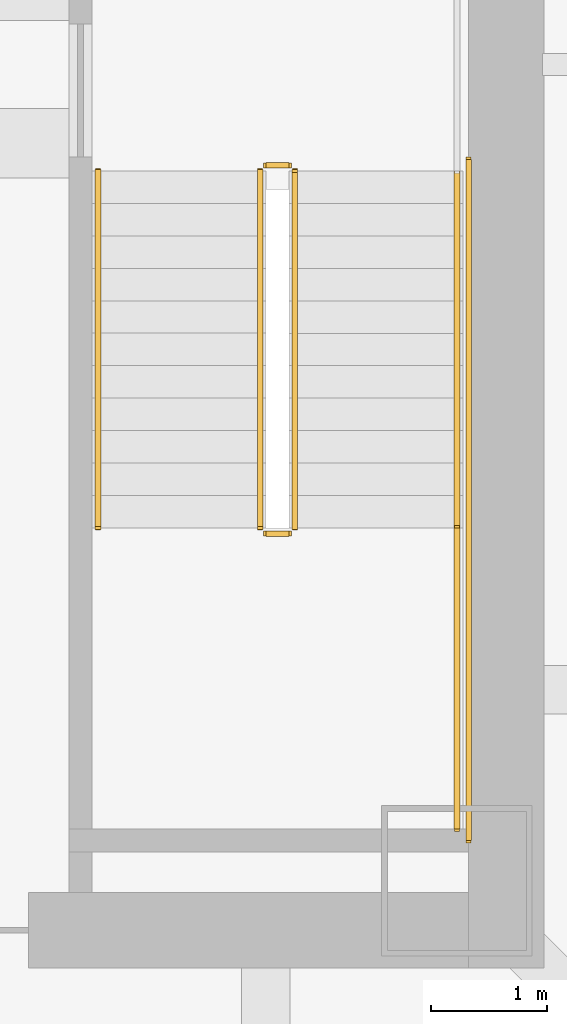
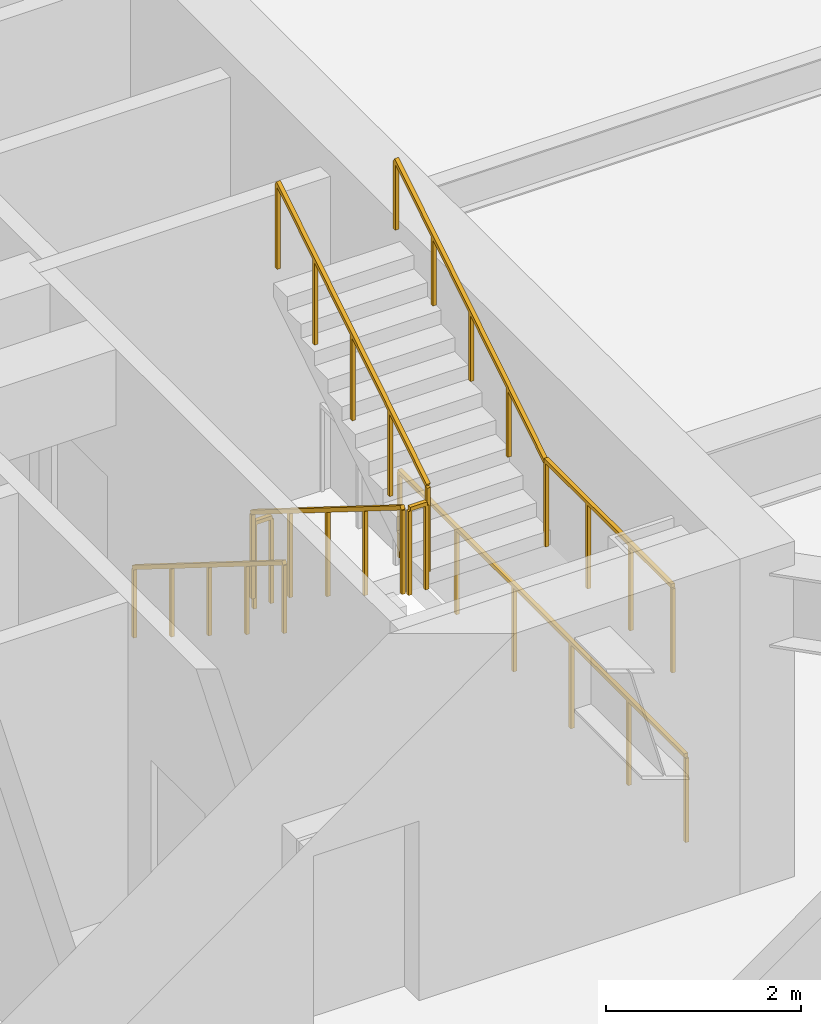
# One storey, part 13 of 20: 8 railings.
"""IFC4 building model written with IfcOpenShell, lengths in metres."""

from ifc_helpers import new_model, si_unit, direction, frame, origin, origin_2d, place, context, subcontext, project, spatial, rectangle, extrude, material, type_object, element, save


model = new_model("IFC4")

# Units and contexts
model_context = context("Model", 3, precision=1e-05, world=origin(), true_north=direction((0.0, 1.0)))
body_context = subcontext(model_context, "Body", "Model", "MODEL_VIEW")
ifc_project = project(units=[si_unit("LENGTHUNIT", "METRE"), si_unit("AREAUNIT", "SQUARE_METRE"), si_unit("VOLUMEUNIT", "CUBIC_METRE"), si_unit("PLANEANGLEUNIT", "RADIAN"), si_unit("MASSUNIT", "GRAM", prefix="KILO")], contexts=[model_context])

# Site, building, storey
site_placement = place(None, origin())
site = spatial("IfcSite", under=ifc_project, at=site_placement, CompositionType="ELEMENT")
building_placement = place(site_placement, origin())
building = spatial("IfcBuilding", under=site, at=building_placement, Name="Tashvorn Skyway Center", CompositionType="ELEMENT")
storey_placement = place(building_placement, frame((0.0, 0.0, 15.60009765625)))
storey = spatial("IfcBuildingStorey", under=building, at=storey_placement, Name="L03", CompositionType="ELEMENT", Elevation=15.60009765625)

# Railings
ifc_material_1 = material(Name="Brushed stainless steel 316", Category="steel")
railing_type_1 = type_object("IfcRailingType", Name="RAIL-HAND-920", PredefinedType="HANDRAIL", material=ifc_material_1)
railing_1_placement = place(storey_placement, frame((45.949951171875, 31.080078125, 0.1748046875)))
element("IfcRailing", 1, at=railing_1_placement, inside=storey, type_object=railing_type_1, Name="L03 ST-T1-2 stair handrail 1", PredefinedType="HANDRAIL", context=body_context, shape_type="SweptSolid", body=[
    extrude(rectangle(XDim=0.048095703125, YDim=0.048095703125, at=origin_2d()), frame((0.0, 0.0, 0.8759765625), z_axis=(0.0, -0.847998304005, 0.529998940003), x_axis=(1.0, 0.0, 0.0)), (0.0, 0.0, 1.0), 3.632080078125),
    extrude(rectangle(XDim=0.0419921875, YDim=0.0419921875, at=origin_2d()), origin(), (0.0, 0.0, 1.0), 0.851806640625),
    extrude(rectangle(XDim=0.0419921875, YDim=0.0419921875, at=origin_2d()), frame((0.0, -0.77001953125, 0.481201171875)), (0.0, 0.0, 1.0), 0.851806640625),
    extrude(rectangle(XDim=0.0419921875, YDim=0.0419921875, at=origin_2d()), frame((0.0, -1.5400390625, 0.96240234375)), (0.0, 0.0, 1.0), 0.851806640625),
    extrude(rectangle(XDim=0.0419921875, YDim=0.0419921875, at=origin_2d()), frame((0.0, -2.31005859375, 1.44384765625)), (0.0, 0.0, 1.0), 0.851806640625),
    extrude(rectangle(XDim=0.0419921875, YDim=0.0419921875, at=origin_2d()), frame((0.0, -3.080078125, 1.925048828125)), (0.0, 0.0, 1.0), 0.851806640625),
])
railing_2_placement = place(storey_placement, frame((49.050048828125, 28.0, 2.27490234375)))
element("IfcRailing", 2, at=railing_2_placement, inside=storey, type_object=railing_type_1, Name="L03 ST-T1-2 stair handrail 2", PredefinedType="HANDRAIL", context=body_context, shape_type="SweptSolid", body=[
    extrude(rectangle(XDim=0.048095703125, YDim=0.048095703125, at=origin_2d()), frame((0.0, 0.0, 0.8759765625), z_axis=(0.0, 0.847998304005, 0.529998940003), x_axis=(-1.0, 0.0, 0.0)), (0.0, 0.0, 1.0), 3.632080078125),
    extrude(rectangle(XDim=0.0419921875, YDim=0.0419921875, at=origin_2d()), origin(), (0.0, 0.0, 1.0), 0.851806640625),
    extrude(rectangle(XDim=0.0419921875, YDim=0.0419921875, at=origin_2d()), frame((0.0, 0.77001953125, 0.481201171875)), (0.0, 0.0, 1.0), 0.851806640625),
    extrude(rectangle(XDim=0.0419921875, YDim=0.0419921875, at=origin_2d()), frame((0.0, 1.5400390625, 0.96240234375)), (0.0, 0.0, 1.0), 0.851806640625),
    extrude(rectangle(XDim=0.0419921875, YDim=0.0419921875, at=origin_2d()), frame((0.0, 2.31005859375, 1.44384765625)), (0.0, 0.0, 1.0), 0.851806640625),
    extrude(rectangle(XDim=0.0419921875, YDim=0.0419921875, at=origin_2d()), frame((0.0, 3.080078125, 1.925048828125)), (0.0, 0.0, 1.0), 0.851806640625),
])
ifc_material_2 = material(Name="Painted galvanized steel S355", Category="steel")
railing_type_2 = type_object("IfcRailingType", Name="RAIL-STGUARD-1100", PredefinedType="GUARDRAIL", material=ifc_material_2)
railing_3_placement = place(storey_placement, frame((47.35009765625, 31.080078125, 0.1748046875)))
element("IfcRailing", 3, at=railing_3_placement, inside=storey, type_object=railing_type_2, Name="L03 ST-T1-2 stair guard 1", PredefinedType="GUARDRAIL", context=body_context, shape_type="SweptSolid", body=[
    extrude(rectangle(XDim=0.048095703125, YDim=0.048095703125, at=origin_2d()), frame((0.0, 0.0, 1.076171875), z_axis=(0.0, -0.847998304005, 0.529998940003), x_axis=(1.0, 0.0, 0.0)), (0.0, 0.0, 1.0), 3.632080078125),
    extrude(rectangle(XDim=0.0419921875, YDim=0.0419921875, at=origin_2d()), origin(), (0.0, 0.0, 1.0), 1.052001953125),
    extrude(rectangle(XDim=0.0419921875, YDim=0.0419921875, at=origin_2d()), frame((0.0, -0.77001953125, 0.481201171875)), (0.0, 0.0, 1.0), 1.052001953125),
    extrude(rectangle(XDim=0.0419921875, YDim=0.0419921875, at=origin_2d()), frame((0.0, -1.5400390625, 0.96240234375)), (0.0, 0.0, 1.0), 1.052001953125),
    extrude(rectangle(XDim=0.0419921875, YDim=0.0419921875, at=origin_2d()), frame((0.0, -2.31005859375, 1.44384765625)), (0.0, 0.0, 1.0), 1.052001953125),
    extrude(rectangle(XDim=0.0419921875, YDim=0.0419921875, at=origin_2d()), frame((0.0, -3.080078125, 1.925048828125)), (0.0, 0.0, 1.0), 1.052001953125),
])
railing_4_placement = place(storey_placement, frame((47.39990234375, 27.949951171875, 2.099853515625)))
element("IfcRailing", 4, at=railing_4_placement, inside=storey, type_object=railing_type_2, Name="L03 ST-T1-2 stair guard 2", PredefinedType="GUARDRAIL", context=body_context, shape_type="SweptSolid", body=[
    extrude(rectangle(XDim=0.048095703125, YDim=0.048095703125, at=origin_2d()), frame((0.0, 0.0, 1.076171875), z_axis=(1.0, 0.0, 0.0), x_axis=(0.0, 1.0, 0.0)), (0.0, 0.0, 1.0), 0.2001953125),
    extrude(rectangle(XDim=0.0419921875, YDim=0.0419921875, at=origin_2d()), origin(), (0.0, 0.0, 1.0), 1.052001953125),
    extrude(rectangle(XDim=0.0419921875, YDim=0.0419921875, at=origin_2d()), frame((0.2001953125, 0.0, 0.0)), (0.0, 0.0, 1.0), 1.052001953125),
])
railing_5_placement = place(storey_placement, frame((49.050048828125, 28.0, 2.099853515625)))
element("IfcRailing", 5, at=railing_5_placement, inside=storey, type_object=railing_type_2, Name="L03 ST-T1-2 stair guard 3", PredefinedType="GUARDRAIL", context=body_context, shape_type="SweptSolid", body=[
    extrude(rectangle(XDim=0.048095703125, YDim=0.048095703125, at=origin_2d()), frame((0.0, 0.0, 1.076171875), z_axis=(0.0, -1.0, 0.0), x_axis=(1.0, 0.0, 0.0)), (0.0, 0.0, 1.0), 2.60009765625),
    extrude(rectangle(XDim=0.0419921875, YDim=0.0419921875, at=origin_2d()), origin(), (0.0, 0.0, 1.0), 1.052001953125),
    extrude(rectangle(XDim=0.0419921875, YDim=0.0419921875, at=origin_2d()), frame((0.0, -0.86669921875, 0.0)), (0.0, 0.0, 1.0), 1.052001953125),
    extrude(rectangle(XDim=0.0419921875, YDim=0.0419921875, at=origin_2d()), frame((0.0, -1.7333984375, 0.0)), (0.0, 0.0, 1.0), 1.052001953125),
    extrude(rectangle(XDim=0.0419921875, YDim=0.0419921875, at=origin_2d()), frame((0.0, -2.60009765625, 0.0)), (0.0, 0.0, 1.0), 1.052001953125),
])
railing_6_placement = place(storey_placement, frame((47.64990234375, 28.0, 2.27490234375)))
element("IfcRailing", 6, at=railing_6_placement, inside=storey, type_object=railing_type_2, Name="L03 ST-T1-2 stair guard 4", PredefinedType="GUARDRAIL", context=body_context, shape_type="SweptSolid", body=[
    extrude(rectangle(XDim=0.048095703125, YDim=0.048095703125, at=origin_2d()), frame((0.0, 0.0, 1.076171875), z_axis=(0.0, 0.847998304005, 0.529998940003), x_axis=(-1.0, 0.0, 0.0)), (0.0, 0.0, 1.0), 3.632080078125),
    extrude(rectangle(XDim=0.0419921875, YDim=0.0419921875, at=origin_2d()), origin(), (0.0, 0.0, 1.0), 1.052001953125),
    extrude(rectangle(XDim=0.0419921875, YDim=0.0419921875, at=origin_2d()), frame((0.0, 0.77001953125, 0.481201171875)), (0.0, 0.0, 1.0), 1.052001953125),
    extrude(rectangle(XDim=0.0419921875, YDim=0.0419921875, at=origin_2d()), frame((0.0, 1.5400390625, 0.96240234375)), (0.0, 0.0, 1.0), 1.052001953125),
    extrude(rectangle(XDim=0.0419921875, YDim=0.0419921875, at=origin_2d()), frame((0.0, 2.31005859375, 1.44384765625)), (0.0, 0.0, 1.0), 1.052001953125),
    extrude(rectangle(XDim=0.0419921875, YDim=0.0419921875, at=origin_2d()), frame((0.0, 3.080078125, 1.925048828125)), (0.0, 0.0, 1.0), 1.052001953125),
])
railing_7_placement = place(storey_placement, frame((47.39990234375, 31.1298828125, 0.0)))
element("IfcRailing", 7, at=railing_7_placement, inside=storey, type_object=railing_type_2, Name="L03 ST-T1-2 stair guard 5", PredefinedType="GUARDRAIL", context=body_context, shape_type="SweptSolid", body=[
    extrude(rectangle(XDim=0.048095703125, YDim=0.048095703125, at=origin_2d()), frame((0.0, 0.0, 1.076171875), z_axis=(1.0, 0.0, 0.0), x_axis=(0.0, 1.0, 0.0)), (0.0, 0.0, 1.0), 0.2001953125),
    extrude(rectangle(XDim=0.0419921875, YDim=0.0419921875, at=origin_2d()), origin(), (0.0, 0.0, 1.0), 1.052001953125),
    extrude(rectangle(XDim=0.0419921875, YDim=0.0419921875, at=origin_2d()), frame((0.2001953125, 0.0, 0.0)), (0.0, 0.0, 1.0), 1.052001953125),
])
railing_8_placement = place(storey_placement, frame((49.14990234375, 31.179931640625, 0.0)))
element("IfcRailing", 8, at=railing_8_placement, inside=storey, type_object=railing_type_2, Name="L03 ST-T1-2 stair guard 7", PredefinedType="GUARDRAIL", context=body_context, shape_type="SweptSolid", body=[
    extrude(rectangle(XDim=0.048095703125, YDim=0.048095703125, at=origin_2d()), frame((0.0, 0.0, 1.076171875), z_axis=(0.0, -1.0, 0.0), x_axis=(1.0, 0.0, 0.0)), (0.0, 0.0, 1.0), 5.8798828125),
    extrude(rectangle(XDim=0.0419921875, YDim=0.0419921875, at=origin_2d()), origin(), (0.0, 0.0, 1.0), 1.052001953125),
    extrude(rectangle(XDim=0.0419921875, YDim=0.0419921875, at=origin_2d()), frame((0.0, -1.176025390625, 0.0)), (0.0, 0.0, 1.0), 1.052001953125),
    extrude(rectangle(XDim=0.0419921875, YDim=0.0419921875, at=origin_2d()), frame((0.0, -2.35205078125, 0.0)), (0.0, 0.0, 1.0), 1.052001953125),
    extrude(rectangle(XDim=0.0419921875, YDim=0.0419921875, at=origin_2d()), frame((0.0, -3.52783203125, 0.0)), (0.0, 0.0, 1.0), 1.052001953125),
    extrude(rectangle(XDim=0.0419921875, YDim=0.0419921875, at=origin_2d()), frame((0.0, -4.703857421875, 0.0)), (0.0, 0.0, 1.0), 1.052001953125),
    extrude(rectangle(XDim=0.0419921875, YDim=0.0419921875, at=origin_2d()), frame((0.0, -5.8798828125, 0.0)), (0.0, 0.0, 1.0), 1.052001953125),
])

save(model, "model.ifc")
